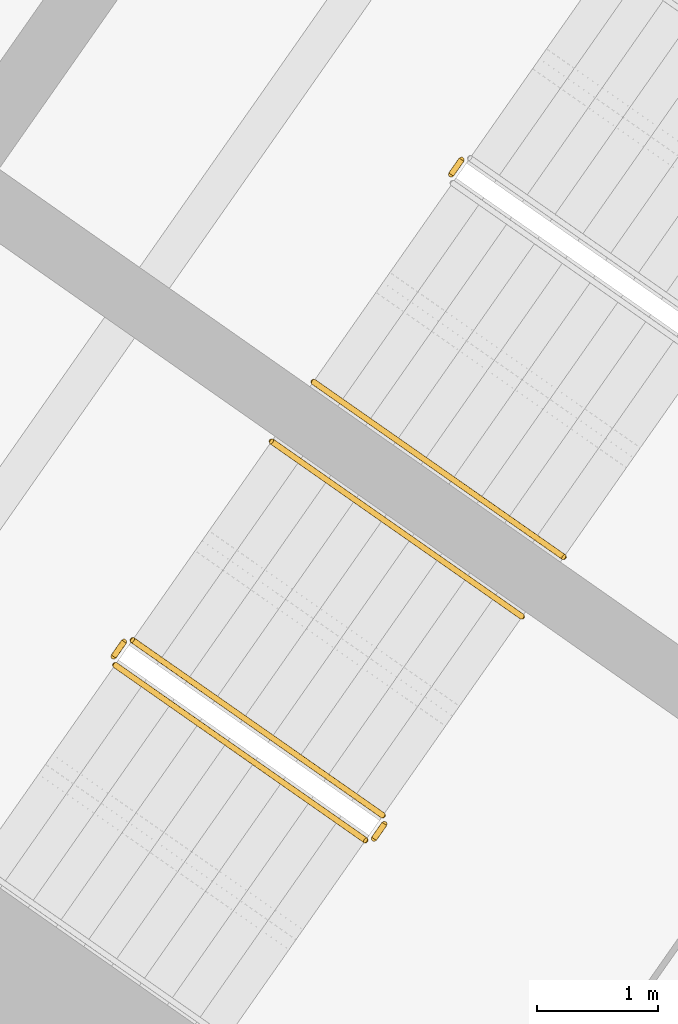
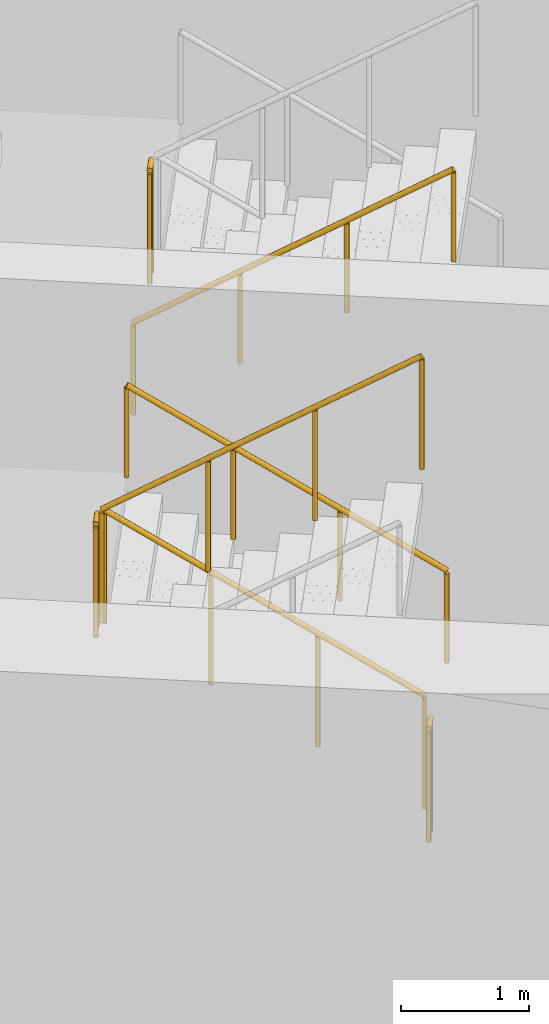
# One storey, part 20 of 22: 7 railings.
"""IFC4 building model written with IfcOpenShell, lengths in metres."""

from ifc_helpers import new_model, si_unit, direction, frame, origin, origin_2d, place, context, subcontext, project, spatial, circle, extrude, material, type_object, element, save


model = new_model("IFC4")

# Units and contexts
model_context = context("Model", 3, precision=1e-05, world=origin(), true_north=direction((0.0, 1.0)))
body_context = subcontext(model_context, "Body", "Model", "MODEL_VIEW")
ifc_project = project(units=[si_unit("LENGTHUNIT", "METRE"), si_unit("AREAUNIT", "SQUARE_METRE"), si_unit("VOLUMEUNIT", "CUBIC_METRE"), si_unit("PLANEANGLEUNIT", "RADIAN"), si_unit("MASSUNIT", "GRAM", prefix="KILO")], contexts=[model_context])

# Site, building, storey
site_placement = place(None, origin())
site = spatial("IfcSite", under=ifc_project, at=site_placement, CompositionType="ELEMENT")
building_placement = place(site_placement, origin())
building = spatial("IfcBuilding", under=site, at=building_placement, Name="Tel Ilan Convention Tower", CompositionType="ELEMENT")
storey_placement = place(building_placement, frame((0.0, 0.0, 122.89990234375)))
storey = spatial("IfcBuildingStorey", under=building, at=storey_placement, Name="L27", CompositionType="ELEMENT", Elevation=122.89990234375)

# Railings
ifc_material_1 = material(Name="Stainless Steel Grade 316", Category="steel")
railing_type_1 = type_object("IfcRailingType", Name="Stainless Steel Stair Guard 1100 mm", PredefinedType="GUARDRAIL", material=ifc_material_1)
railing_1_placement = place(storey_placement, frame((21.544921875, -6.41845703125, 1.800048828125)))
element("IfcRailing", 1, at=railing_1_placement, inside=storey, type_object=railing_type_1, Name="L27 S3 stair guard 2", PredefinedType="GUARDRAIL", context=body_context, shape_type="SweptSolid", body=[
    extrude(circle(Radius=0.02392578125, at=origin_2d()), frame((0.0, 0.0, 1.076171875), z_axis=(-0.573353020881, -0.819308436089, 0.0), x_axis=(0.819308436089, -0.573353020881, 0.0)), (0.0, 0.0, 1.0), 0.14990234375),
    extrude(circle(Radius=0.02099609375, at=origin_2d()), origin(), (0.0, 0.0, 1.0), 1.052001953125),
    extrude(circle(Radius=0.02099609375, at=origin_2d()), frame((-0.0859375, -0.122802734375, 0.0)), (0.0, 0.0, 1.0), 1.052001953125),
])
railing_2_placement = place(storey_placement, frame((20.89697265625, -11.824462890625, 0.18017578125)))
element("IfcRailing", 2, at=railing_2_placement, inside=storey, type_object=railing_type_1, Name="L27 S4 stair guard 1", PredefinedType="GUARDRAIL", context=body_context, shape_type="SweptSolid", body=[
    extrude(circle(Radius=0.02392578125, at=origin_2d()), frame((0.0, 0.0, 1.076171875), z_axis=(-0.689043377453, 0.48253410265, 0.540721798865), x_axis=(-0.573624882958, -0.819118119475, 0.0)), (0.0, 0.0, 1.0), 2.995849609375),
    extrude(circle(Radius=0.02099609375, at=origin_2d()), origin(), (0.0, 0.0, 1.0), 1.052001953125),
    extrude(circle(Radius=0.02099609375, at=origin_2d()), frame((-0.68798828125, 0.48193359375, 0.5400390625)), (0.0, 0.0, 1.0), 1.052001953125),
    extrude(circle(Radius=0.02099609375, at=origin_2d()), frame((-1.376220703125, 0.963623046875, 1.079833984375)), (0.0, 0.0, 1.0), 1.052001953125),
    extrude(circle(Radius=0.02099609375, at=origin_2d()), frame((-2.064208984375, 1.445556640625, 1.619873046875)), (0.0, 0.0, 1.0), 1.052001953125),
])
railing_3_placement = place(storey_placement, frame((18.762939453125, -10.391357421875, 1.800048828125)))
element("IfcRailing", 3, at=railing_3_placement, inside=storey, type_object=railing_type_1, Name="L27 S4 stair guard 2", PredefinedType="GUARDRAIL", context=body_context, shape_type="SweptSolid", body=[
    extrude(circle(Radius=0.02392578125, at=origin_2d()), frame((0.0, 0.0, 1.076171875), z_axis=(-0.573353020881, -0.819308436089, 0.0), x_axis=(0.819308436089, -0.573353020881, 0.0)), (0.0, 0.0, 1.0), 0.14990234375),
    extrude(circle(Radius=0.02099609375, at=origin_2d()), origin(), (0.0, 0.0, 1.0), 1.052001953125),
    extrude(circle(Radius=0.02099609375, at=origin_2d()), frame((-0.0859375, -0.122802734375, 0.0)), (0.0, 0.0, 1.0), 1.052001953125),
])
railing_4_placement = place(storey_placement, frame((18.689208984375, -10.583740234375, 1.97998046875)))
element("IfcRailing", 4, at=railing_4_placement, inside=storey, type_object=railing_type_1, Name="L27 S4 stair guard 3", PredefinedType="GUARDRAIL", context=body_context, shape_type="SweptSolid", body=[
    extrude(circle(Radius=0.02392578125, at=origin_2d()), frame((0.0, 0.0, 1.076171875), z_axis=(0.689055814419, -0.482485747064, 0.540749099395), x_axis=(0.573579365141, 0.81914999352, 0.0)), (0.0, 0.0, 1.0), 2.99609375),
    extrude(circle(Radius=0.02099609375, at=origin_2d()), origin(), (0.0, 0.0, 1.0), 1.052001953125),
    extrude(circle(Radius=0.02099609375, at=origin_2d()), frame((0.688232421875, -0.48193359375, 0.5400390625)), (0.0, 0.0, 1.0), 1.052001953125),
    extrude(circle(Radius=0.02099609375, at=origin_2d()), frame((1.376220703125, -0.963623046875, 1.080078125)), (0.0, 0.0, 1.0), 1.052001953125),
    extrude(circle(Radius=0.02099609375, at=origin_2d()), frame((2.064453125, -1.445556640625, 1.6201171875)), (0.0, 0.0, 1.0), 1.052001953125),
])
railing_5_placement = place(storey_placement, frame((20.9091796875, -11.89404296875, 0.0)))
element("IfcRailing", 5, at=railing_5_placement, inside=storey, type_object=railing_type_1, Name="L27 S4 stair guard 4", PredefinedType="GUARDRAIL", context=body_context, shape_type="SweptSolid", body=[
    extrude(circle(Radius=0.02392578125, at=origin_2d()), frame((0.0, 0.0, 1.076171875), z_axis=(-0.573353020881, -0.819308436089, 0.0), x_axis=(0.819308436089, -0.573353020881, 0.0)), (0.0, 0.0, 1.0), 0.14990234375),
    extrude(circle(Radius=0.02099609375, at=origin_2d()), origin(), (0.0, 0.0, 1.0), 1.052001953125),
    extrude(circle(Radius=0.02099609375, at=origin_2d()), frame((-0.0859375, -0.122802734375, 0.0)), (0.0, 0.0, 1.0), 1.052001953125),
])
ifc_material_2 = material(Name="Stainless Steel Grade 316", Category="steel")
railing_type_2 = type_object("IfcRailingType", Name="Stainless Steel Stair Handrail 900 mm", PredefinedType="HANDRAIL", material=ifc_material_2)
railing_6_placement = place(storey_placement, frame((20.323974609375, -8.249267578125, 1.97998046875)))
element("IfcRailing", 6, at=railing_6_placement, inside=storey, type_object=railing_type_2, Name="L27 S3 stair handrail 2", PredefinedType="HANDRAIL", context=body_context, shape_type="SweptSolid", body=[
    extrude(circle(Radius=0.02392578125, at=origin_2d()), frame((0.0, 0.0, 0.8759765625), z_axis=(0.689040105437, -0.482450316285, 0.54080072616), x_axis=(0.573559875649, 0.819163639968, 0.0)), (0.0, 0.0, 1.0), 2.995849609375),
    extrude(circle(Radius=0.02099609375, at=origin_2d()), origin(), (0.0, 0.0, 1.0), 0.851806640625),
    extrude(circle(Radius=0.02099609375, at=origin_2d()), frame((0.68798828125, -0.481689453125, 0.5400390625)), (0.0, 0.0, 1.0), 0.851806640625),
    extrude(circle(Radius=0.02099609375, at=origin_2d()), frame((1.376220703125, -0.963623046875, 1.080078125)), (0.0, 0.0, 1.0), 0.851806640625),
    extrude(circle(Radius=0.02099609375, at=origin_2d()), frame((2.064208984375, -1.4453125, 1.6201171875)), (0.0, 0.0, 1.0), 0.851806640625),
])
railing_7_placement = place(storey_placement, frame((22.044189453125, -10.18603515625, 0.18017578125)))
element("IfcRailing", 7, at=railing_7_placement, inside=storey, type_object=railing_type_2, Name="L27 S4 stair handrail 1", PredefinedType="HANDRAIL", context=body_context, shape_type="SweptSolid", body=[
    extrude(circle(Radius=0.02392578125, at=origin_2d()), frame((0.0, 0.0, 0.8759765625), z_axis=(-0.689113270881, 0.482444484817, 0.540712695399), x_axis=(-0.573514357932, -0.81919550856, 0.0)), (0.0, 0.0, 1.0), 2.995849609375),
    extrude(circle(Radius=0.02099609375, at=origin_2d()), origin(), (0.0, 0.0, 1.0), 0.851806640625),
    extrude(circle(Radius=0.02099609375, at=origin_2d()), frame((-0.688232421875, 0.481689453125, 0.5400390625)), (0.0, 0.0, 1.0), 0.851806640625),
    extrude(circle(Radius=0.02099609375, at=origin_2d()), frame((-1.376220703125, 0.963623046875, 1.079833984375)), (0.0, 0.0, 1.0), 0.851806640625),
    extrude(circle(Radius=0.02099609375, at=origin_2d()), frame((-2.064453125, 1.4453125, 1.619873046875)), (0.0, 0.0, 1.0), 0.851806640625),
])

save(model, "model.ifc")
